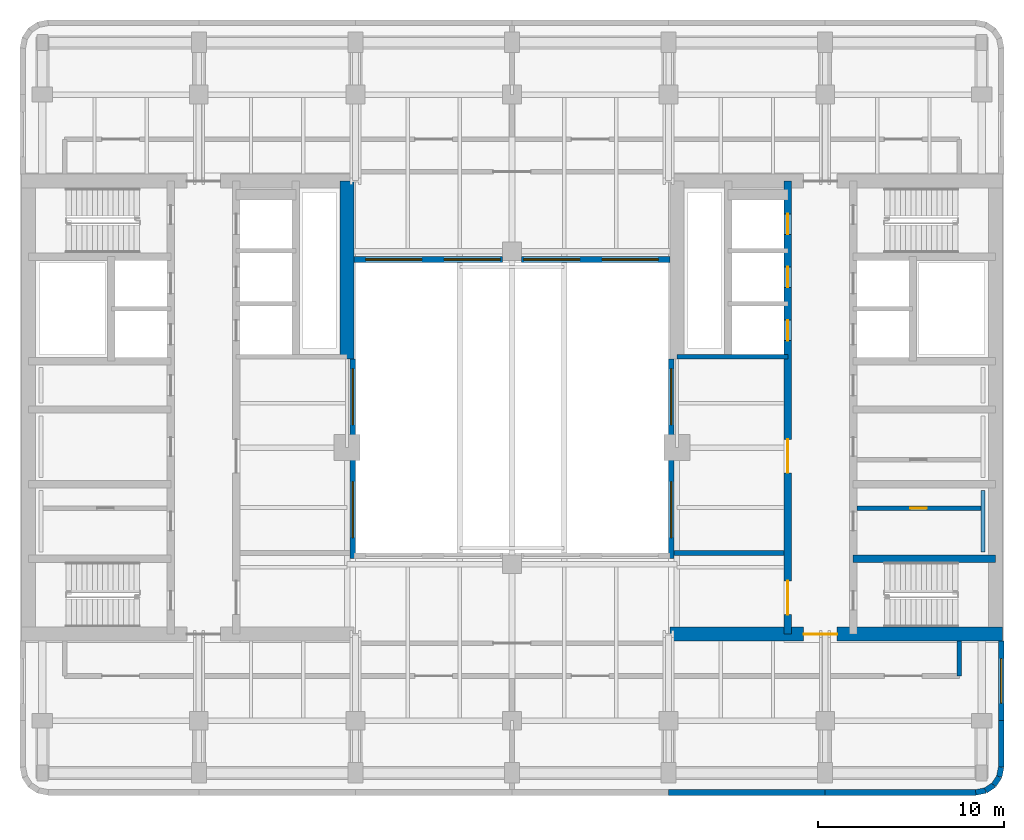
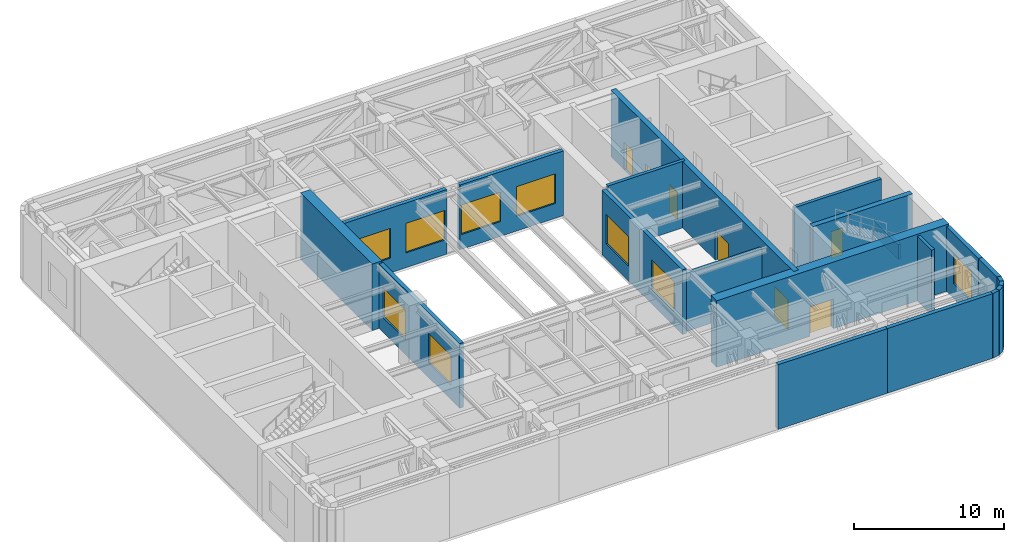
# One storey, part 5 of 10: 21 walls, 9 windows, 7 doors, 16 openings.
"""IFC4 building model written with IfcOpenShell, lengths in metres."""

from ifc_helpers import new_model, si_unit, direction, frame, frame_2d, origin, place, context, subcontext, project, spatial, rectangle, extrude, material, layer, layer_set, type_object, element, fill, save


model = new_model("IFC4")

# Units and contexts
model_context = context("Model", 3, precision=1e-05, world=origin(), true_north=direction((0.0, 1.0)))
body_context = subcontext(model_context, "Body", "Model", "MODEL_VIEW")
ifc_project = project(units=[si_unit("LENGTHUNIT", "METRE"), si_unit("AREAUNIT", "SQUARE_METRE"), si_unit("VOLUMEUNIT", "CUBIC_METRE"), si_unit("PLANEANGLEUNIT", "RADIAN"), si_unit("MASSUNIT", "GRAM", prefix="KILO")], contexts=[model_context])

# Site, building, storey
site_placement = place(None, origin())
site = spatial("IfcSite", under=ifc_project, at=site_placement, CompositionType="ELEMENT")
building_placement = place(site_placement, origin())
building = spatial("IfcBuilding", under=site, at=building_placement, Name="Claustro Exchange Tower", CompositionType="ELEMENT")
storey_placement = place(building_placement, frame((0.0, 0.0, 244.800048828125)))
storey = spatial("IfcBuildingStorey", under=building, at=storey_placement, Name="L56", CompositionType="ELEMENT", Elevation=244.800048828125)

# Walls
ifc_material_1 = material(Name="Concrete blockwork, rendered", Category="masonry")
ifc_layer_1 = layer(ifc_material_1, 0.25)
ifc_layer_set_1 = layer_set([ifc_layer_1], Name="Concrete blockwork, rendered")
wall_type_1 = type_object("IfcWallType", Name="P4 250 blockwork wall", PredefinedType="PARTITIONING", material=ifc_layer_set_1)
wall_1_placement = place(storey_placement, frame((33.89794921875, 17.39990234375, 0.0), z_axis=(0.0, 0.0, 1.0), x_axis=(1.0, 0.0, 0.0)))
element("IfcWall", 1, at=wall_1_placement, inside=storey, type_object=wall_type_1, Name="Partition P4 L56", PredefinedType="PARTITIONING", context=body_context, shape_type="SweptSolid", body=[
    extrude(rectangle(XDim=5.904052734375, YDim=0.25, at=frame_2d((2.9521484375, 0.0))), origin(), (0.0, 0.0, 1.0), 4.699951171875),
])
wall_2_placement = place(storey_placement, frame((49.199951171875, 10.800048828125, 0.0), z_axis=(0.0, 0.0, 1.0), x_axis=(0.0, 1.0, 0.0)))
element("IfcWall", 2, at=wall_2_placement, inside=storey, type_object=wall_type_1, Name="Partition P4 L56", PredefinedType="PARTITIONING", context=body_context, shape_type="SweptSolid", body=[
    extrude(rectangle(XDim=1.8759765625, YDim=0.25, at=frame_2d((0.93798828125, 0.0))), origin(), (0.0, 0.0, 1.0), 5.25),
])

# Wall, opening, door
wall_3_placement = place(storey_placement, frame((43.699951171875, 19.800048828125, 0.0), z_axis=(0.0, 0.0, 1.0), x_axis=(1.0, 0.0, 0.0)))
wall_3 = element("IfcWall", 3, at=wall_3_placement, inside=storey, type_object=wall_type_1, Name="Partition P4 L56", PredefinedType="PARTITIONING", context=body_context, shape_type="SweptSolid", body=[
    extrude(rectangle(XDim=6.675048828125, YDim=0.25, at=frame_2d((3.33740234375, 0.0))), origin(), (0.0, 0.0, 1.0), 5.199951171875),
])
opening_1_placement = place(wall_3_placement, frame((2.862548828125, 0.0, 0.0)))
opening_1 = element("IfcOpeningElement", 4, at=opening_1_placement, cuts=wall_3, Name="Opening D5", PredefinedType="OPENING", context=body_context, shape_type="SweptSolid", body=[
    extrude(rectangle(XDim=0.89990234375, YDim=2.199951171875, at=frame_2d((0.449951171875, 1.10009765625))), frame((0.0, 0.135009765625, 0.0), z_axis=(0.0, -1.0, 0.0), x_axis=(1.0, 0.0, 0.0)), (0.0, 0.0, 1.0), 0.27001953125),
])
ifc_material_2 = material(Name="Steel door, painted", Category="steel")
door_type_1 = type_object("IfcDoorType", Name="D5 900 x 2200 store door", OperationType="SINGLE_SWING_LEFT", PredefinedType="DOOR", material=ifc_material_2)
door_1_placement = place(opening_1_placement, origin())
door_1 = element("IfcDoor", 5, at=door_1_placement, inside=storey, type_object=door_type_1, Name="Store door D5 L56", OperationType="SINGLE_SWING_LEFT", OverallHeight=2.199951171875, OverallWidth=0.89990234375, PredefinedType="DOOR", context=body_context, shape_type="SweptSolid", body=[
    extrude(rectangle(XDim=0.89990234375, YDim=2.199951171875, at=frame_2d((0.449951171875, 1.10009765625))), frame((0.0, 0.02490234375, 0.0), z_axis=(0.0, -1.0, 0.0), x_axis=(1.0, 0.0, 0.0)), (0.0, 0.0, 1.0), 0.050048828125),
])
fill(opening_1, door_1)

# Walls
ifc_material_3 = material(Name="Concrete HA-40 (C40/50), precast, white cement, acid-etched", Category="concrete")
ifc_layer_2 = layer(ifc_material_3, 0.300048828125)
ifc_layer_set_2 = layer_set([ifc_layer_2], Name="Concrete HA-40 (C40/50), precast, white cement, acid-etched")
wall_type_2 = type_object("IfcWallType", Name="PC1 300 precast concrete pier panel", PredefinedType="SOLIDWALL", material=ifc_layer_set_2)
wall_4_placement = place(storey_placement, frame((50.085205078125, 4.550048828125, 0.0), z_axis=(0.0, 0.0, 1.0), x_axis=(-1.0, 0.0, 0.0)))
element("IfcWall", 6, at=wall_4_placement, inside=storey, type_object=wall_type_2, Name="Precast pier panel PC1 L56", PredefinedType="SOLIDWALL", context=body_context, shape_type="SweptSolid", body=[
    extrude(rectangle(XDim=8.085205078125, YDim=0.300048828125, at=frame_2d((4.04248046875, 0.0))), origin(), (0.0, 0.0, 1.0), 5.25),
])
wall_5_placement = place(storey_placement, frame((42.0, 4.550048828125, 0.0), z_axis=(0.0, 0.0, 1.0), x_axis=(-1.0, 0.0, 0.0)))
element("IfcWall", 7, at=wall_5_placement, inside=storey, type_object=wall_type_2, Name="Precast pier panel PC1 L56", PredefinedType="SOLIDWALL", context=body_context, shape_type="SweptSolid", body=[
    extrude(rectangle(XDim=8.39990234375, YDim=0.300048828125, at=frame_2d((4.199951171875, 0.0))), origin(), (0.0, 0.0, 1.0), 5.25),
])

# Wall, opening, window
wall_6_placement = place(storey_placement, frame((51.449951171875, 12.675048828125, 0.0), z_axis=(0.0, 0.0, 1.0), x_axis=(0.0, -1.0, 0.0)))
wall_6 = element("IfcWall", 8, at=wall_6_placement, inside=storey, type_object=wall_type_2, Name="Precast pier panel PC1 L56", PredefinedType="SOLIDWALL", context=body_context, shape_type="SweptSolid", body=[
    extrude(rectangle(XDim=4.275146484375, YDim=0.300048828125, at=frame_2d((2.1376953125, 0.0))), origin(), (0.0, 0.0, 1.0), 5.25),
])
opening_2_placement = place(wall_6_placement, frame((0.9375, 0.0, 1.199951171875)))
opening_2 = element("IfcOpeningElement", 9, at=opening_2_placement, cuts=wall_6, Name="Opening L2", PredefinedType="OPENING", context=body_context, shape_type="SweptSolid", body=[
    extrude(rectangle(XDim=2.39990234375, YDim=2.39990234375, at=frame_2d((1.199951171875, 1.199951171875))), frame((0.0, 0.159912109375, 0.0), z_axis=(0.0, -1.0, 0.0), x_axis=(1.0, 0.0, 0.0)), (0.0, 0.0, 1.0), 0.320068359375),
])
ifc_material_4 = material(Name="Aluminium louvre blades", Category="aluminium")
window_type_1 = type_object("IfcWindowType", Name="L2 2400 x 2400 plant louvre", PartitioningType="SINGLE_PANEL", PredefinedType="USERDEFINED", material=ifc_material_4)
window_1_placement = place(opening_2_placement, origin())
window_1 = element("IfcWindow", 10, at=window_1_placement, inside=storey, type_object=window_type_1, Name="Plant louvre L2 L56", ObjectType="LOUVRE", OverallHeight=2.39990234375, OverallWidth=2.39990234375, PartitioningType="SINGLE_PANEL", PredefinedType="USERDEFINED", context=body_context, shape_type="SweptSolid", body=[
    extrude(rectangle(XDim=2.39990234375, YDim=2.39990234375, at=frame_2d((1.199951171875, 1.199951171875))), frame((0.0, 0.030029296875, 0.0), z_axis=(0.0, -1.0, 0.0), x_axis=(1.0, 0.0, 0.0)), (0.0, 0.0, 1.0), 0.06005859375),
])
fill(opening_2, window_1)

# Walls
wall_7_placement = place(storey_placement, frame((51.449951171875, 8.39990234375, 0.0), z_axis=(0.0, 0.0, 1.0), x_axis=(0.0, -1.0, 0.0)))
element("IfcWall", 11, at=wall_7_placement, inside=storey, type_object=wall_type_2, Name="Precast pier panel PC1 L56", PredefinedType="SOLIDWALL", context=body_context, shape_type="SweptSolid", body=[
    extrude(rectangle(XDim=2.485107421875, YDim=0.300048828125, at=frame_2d((1.24267578125, 0.0))), origin(), (0.0, 0.0, 1.0), 5.25),
])
wall_8_placement = place(storey_placement, frame((51.449951171875, 5.914794921875, 0.0), z_axis=(0.0, 0.0, 1.0), x_axis=(-0.195073962632, -0.980788534345, 0.0)))
element("IfcWall", 12, at=wall_8_placement, inside=storey, type_object=wall_type_2, Name="Precast pier panel PC1 L56", PredefinedType="SOLIDWALL", context=body_context, shape_type="SweptSolid", body=[
    extrude(rectangle(XDim=0.540771484375, YDim=0.300048828125, at=frame_2d((0.2705078125, 0.0))), origin(), (0.0, 0.0, 1.0), 5.25),
])
for number, where, z_axis, x_axis, name in (
    (13, (51.344482421875, 5.384521484375, 0.0), (0.0, 0.0, 1.0), (-0.555557463938, -0.831478144188, 0.0), "Precast pier panel PC1 L56"),
    (14, (51.052490234375, 4.947509765625, 0.0), (0.0, 0.0, 1.0), (-0.831478144188, -0.555557463938, 0.0), "Precast pier panel PC1 L56"),
):
    element("IfcWall", number, at=place(storey_placement, frame(where, z_axis=z_axis, x_axis=x_axis)), inside=storey, type_object=wall_type_2, Name=name, PredefinedType="SOLIDWALL", context=body_context, shape_type="SweptSolid", body=[
        extrude(rectangle(XDim=0.525634765625, YDim=0.300048828125, at=frame_2d((0.2626953125, 0.0))), origin(), (0.0, 0.0, 1.0), 5.25),
    ])
wall_9_placement = place(storey_placement, frame((50.615478515625, 4.655517578125, 0.0), z_axis=(0.0, 0.0, 1.0), x_axis=(-0.980788534345, -0.195073962632, 0.0)))
element("IfcWall", 15, at=wall_9_placement, inside=storey, type_object=wall_type_2, Name="Precast pier panel PC1 L56", PredefinedType="SOLIDWALL", context=body_context, shape_type="SweptSolid", body=[
    extrude(rectangle(XDim=0.540771484375, YDim=0.300048828125, at=frame_2d((0.2705078125, 0.0))), origin(), (0.0, 0.0, 1.0), 5.25),
])

# Wall, openings, windows
wall_10_placement = place(storey_placement, frame((16.64990234375, 17.10009765625, 0.0), z_axis=(0.0, 0.0, 1.0), x_axis=(0.0, 1.0, 0.0)))
wall_10 = element("IfcWall", 16, at=wall_10_placement, inside=storey, type_object=wall_type_2, Name="Precast pier panel PC1 L56", PredefinedType="SOLIDWALL", context=body_context, shape_type="SweptSolid", body=[
    extrude(rectangle(XDim=10.699951171875, YDim=0.300048828125, at=frame_2d((5.35009765625, 0.0))), origin(), (0.0, 0.0, 1.0), 5.25),
])
opening_3_placement = place(wall_10_placement, frame((1.125, 0.0, 1.199951171875)))
opening_3 = element("IfcOpeningElement", 17, at=opening_3_placement, cuts=wall_10, Name="Opening L1", PredefinedType="OPENING", context=body_context, shape_type="SweptSolid", body=[
    extrude(rectangle(XDim=3.0, YDim=2.39990234375, at=frame_2d((1.5, 1.199951171875))), frame((0.0, 0.159912109375, 0.0), z_axis=(0.0, -1.0, 0.0), x_axis=(1.0, 0.0, 0.0)), (0.0, 0.0, 1.0), 0.320068359375),
])
opening_4_placement = place(wall_10_placement, frame((7.175048828125, 0.0, 1.199951171875)))
opening_4 = element("IfcOpeningElement", 18, at=opening_4_placement, cuts=wall_10, Name="Opening L1", PredefinedType="OPENING", context=body_context, shape_type="SweptSolid", body=[
    extrude(rectangle(XDim=3.0, YDim=2.39990234375, at=frame_2d((1.5, 1.199951171875))), frame((0.0, 0.159912109375, 0.0), z_axis=(0.0, -1.0, 0.0), x_axis=(1.0, 0.0, 0.0)), (0.0, 0.0, 1.0), 0.320068359375),
])
ifc_material_5 = material(Name="Aluminium louvre blades", Category="aluminium")
window_type_2 = type_object("IfcWindowType", Name="L1 3000 x 2400 plant louvre", PartitioningType="SINGLE_PANEL", PredefinedType="USERDEFINED", material=ifc_material_5)
window_2_placement = place(opening_3_placement, origin())
window_2 = element("IfcWindow", 19, at=window_2_placement, inside=storey, type_object=window_type_2, Name="Plant louvre L1 L56", ObjectType="LOUVRE", OverallHeight=2.39990234375, OverallWidth=3.0, PartitioningType="SINGLE_PANEL", PredefinedType="USERDEFINED", context=body_context, shape_type="SweptSolid", body=[
    extrude(rectangle(XDim=3.0, YDim=2.39990234375, at=frame_2d((1.5, 1.199951171875))), frame((0.0, 0.030029296875, 0.0), z_axis=(0.0, -1.0, 0.0), x_axis=(1.0, 0.0, 0.0)), (0.0, 0.0, 1.0), 0.06005859375),
])
fill(opening_3, window_2)
window_3_placement = place(opening_4_placement, origin())
window_3 = element("IfcWindow", 20, at=window_3_placement, inside=storey, type_object=window_type_2, Name="Plant louvre L1 L56", ObjectType="LOUVRE", OverallHeight=2.39990234375, OverallWidth=3.0, PartitioningType="SINGLE_PANEL", PredefinedType="USERDEFINED", context=body_context, shape_type="SweptSolid", body=[
    extrude(rectangle(XDim=3.0, YDim=2.39990234375, at=frame_2d((1.5, 1.199951171875))), frame((0.0, 0.030029296875, 0.0), z_axis=(0.0, -1.0, 0.0), x_axis=(1.0, 0.0, 0.0)), (0.0, 0.0, 1.0), 0.06005859375),
])
fill(opening_4, window_3)

wall_11_placement = place(storey_placement, frame((33.75, 17.10009765625, 0.0), z_axis=(0.0, 0.0, 1.0), x_axis=(0.0, 1.0, 0.0)))
wall_11 = element("IfcWall", 21, at=wall_11_placement, inside=storey, type_object=wall_type_2, Name="Precast pier panel PC1 L56", PredefinedType="SOLIDWALL", context=body_context, shape_type="SweptSolid", body=[
    extrude(rectangle(XDim=10.699951171875, YDim=0.300048828125, at=frame_2d((5.35009765625, 0.0))), origin(), (0.0, 0.0, 1.0), 5.25),
])
opening_5_placement = place(wall_11_placement, frame((1.125, 0.0, 1.199951171875)))
opening_5 = element("IfcOpeningElement", 22, at=opening_5_placement, cuts=wall_11, Name="Opening L1", PredefinedType="OPENING", context=body_context, shape_type="SweptSolid", body=[
    extrude(rectangle(XDim=3.0, YDim=2.39990234375, at=frame_2d((1.5, 1.199951171875))), frame((0.0, 0.159912109375, 0.0), z_axis=(0.0, -1.0, 0.0), x_axis=(1.0, 0.0, 0.0)), (0.0, 0.0, 1.0), 0.320068359375),
])
opening_6_placement = place(wall_11_placement, frame((7.175048828125, 0.0, 1.199951171875)))
opening_6 = element("IfcOpeningElement", 23, at=opening_6_placement, cuts=wall_11, Name="Opening L1", PredefinedType="OPENING", context=body_context, shape_type="SweptSolid", body=[
    extrude(rectangle(XDim=3.0, YDim=2.39990234375, at=frame_2d((1.5, 1.199951171875))), frame((0.0, 0.159912109375, 0.0), z_axis=(0.0, -1.0, 0.0), x_axis=(1.0, 0.0, 0.0)), (0.0, 0.0, 1.0), 0.320068359375),
])
window_4_placement = place(opening_5_placement, origin())
window_4 = element("IfcWindow", 24, at=window_4_placement, inside=storey, type_object=window_type_2, Name="Plant louvre L1 L56", ObjectType="LOUVRE", OverallHeight=2.39990234375, OverallWidth=3.0, PartitioningType="SINGLE_PANEL", PredefinedType="USERDEFINED", context=body_context, shape_type="SweptSolid", body=[
    extrude(rectangle(XDim=3.0, YDim=2.39990234375, at=frame_2d((1.5, 1.199951171875))), frame((0.0, 0.030029296875, 0.0), z_axis=(0.0, -1.0, 0.0), x_axis=(1.0, 0.0, 0.0)), (0.0, 0.0, 1.0), 0.06005859375),
])
fill(opening_5, window_4)
window_5_placement = place(opening_6_placement, origin())
window_5 = element("IfcWindow", 25, at=window_5_placement, inside=storey, type_object=window_type_2, Name="Plant louvre L1 L56", ObjectType="LOUVRE", OverallHeight=2.39990234375, OverallWidth=3.0, PartitioningType="SINGLE_PANEL", PredefinedType="USERDEFINED", context=body_context, shape_type="SweptSolid", body=[
    extrude(rectangle(XDim=3.0, YDim=2.39990234375, at=frame_2d((1.5, 1.199951171875))), frame((0.0, 0.030029296875, 0.0), z_axis=(0.0, -1.0, 0.0), x_axis=(1.0, 0.0, 0.0)), (0.0, 0.0, 1.0), 0.06005859375),
])
fill(opening_6, window_5)

wall_12_placement = place(storey_placement, frame((16.72509765625, 33.14990234375, 0.0), z_axis=(0.0, 0.0, 1.0), x_axis=(1.0, 0.0, 0.0)))
wall_12 = element("IfcWall", 26, at=wall_12_placement, inside=storey, type_object=wall_type_2, Name="Precast pier panel PC1 L56", PredefinedType="SOLIDWALL", context=body_context, shape_type="SweptSolid", body=[
    extrude(rectangle(XDim=7.974853515625, YDim=0.300048828125, at=frame_2d((3.9873046875, 0.0))), origin(), (0.0, 0.0, 1.0), 5.25),
])
opening_7_placement = place(wall_12_placement, frame((0.637451171875, 0.0, 1.199951171875)))
opening_7 = element("IfcOpeningElement", 27, at=opening_7_placement, cuts=wall_12, Name="Opening L1", PredefinedType="OPENING", context=body_context, shape_type="SweptSolid", body=[
    extrude(rectangle(XDim=3.0, YDim=2.39990234375, at=frame_2d((1.5, 1.199951171875))), frame((0.0, 0.159912109375, 0.0), z_axis=(0.0, -1.0, 0.0), x_axis=(1.0, 0.0, 0.0)), (0.0, 0.0, 1.0), 0.320068359375),
])
opening_8_placement = place(wall_12_placement, frame((4.83740234375, 0.0, 1.199951171875)))
opening_8 = element("IfcOpeningElement", 28, at=opening_8_placement, cuts=wall_12, Name="Opening L1", PredefinedType="OPENING", context=body_context, shape_type="SweptSolid", body=[
    extrude(rectangle(XDim=3.0, YDim=2.39990234375, at=frame_2d((1.5, 1.199951171875))), frame((0.0, 0.159912109375, 0.0), z_axis=(0.0, -1.0, 0.0), x_axis=(1.0, 0.0, 0.0)), (0.0, 0.0, 1.0), 0.320068359375),
])
window_6_placement = place(opening_7_placement, origin())
window_6 = element("IfcWindow", 29, at=window_6_placement, inside=storey, type_object=window_type_2, Name="Plant louvre L1 L56", ObjectType="LOUVRE", OverallHeight=2.39990234375, OverallWidth=3.0, PartitioningType="SINGLE_PANEL", PredefinedType="USERDEFINED", context=body_context, shape_type="SweptSolid", body=[
    extrude(rectangle(XDim=3.0, YDim=2.39990234375, at=frame_2d((1.5, 1.199951171875))), frame((0.0, 0.030029296875, 0.0), z_axis=(0.0, -1.0, 0.0), x_axis=(1.0, 0.0, 0.0)), (0.0, 0.0, 1.0), 0.06005859375),
])
fill(opening_7, window_6)
window_7_placement = place(opening_8_placement, origin())
window_7 = element("IfcWindow", 30, at=window_7_placement, inside=storey, type_object=window_type_2, Name="Plant louvre L1 L56", ObjectType="LOUVRE", OverallHeight=2.39990234375, OverallWidth=3.0, PartitioningType="SINGLE_PANEL", PredefinedType="USERDEFINED", context=body_context, shape_type="SweptSolid", body=[
    extrude(rectangle(XDim=3.0, YDim=2.39990234375, at=frame_2d((1.5, 1.199951171875))), frame((0.0, 0.030029296875, 0.0), z_axis=(0.0, -1.0, 0.0), x_axis=(1.0, 0.0, 0.0)), (0.0, 0.0, 1.0), 0.06005859375),
])
fill(opening_8, window_7)

wall_13_placement = place(storey_placement, frame((25.699951171875, 33.14990234375, 0.0), z_axis=(0.0, 0.0, 1.0), x_axis=(1.0, 0.0, 0.0)))
wall_13 = element("IfcWall", 31, at=wall_13_placement, inside=storey, type_object=wall_type_2, Name="Precast pier panel PC1 L56", PredefinedType="SOLIDWALL", context=body_context, shape_type="SweptSolid", body=[
    extrude(rectangle(XDim=7.97509765625, YDim=0.300048828125, at=frame_2d((3.987548828125, 0.0))), origin(), (0.0, 0.0, 1.0), 5.25),
])
opening_9_placement = place(wall_13_placement, frame((0.137451171875, 0.0, 1.199951171875)))
opening_9 = element("IfcOpeningElement", 32, at=opening_9_placement, cuts=wall_13, Name="Opening L1", PredefinedType="OPENING", context=body_context, shape_type="SweptSolid", body=[
    extrude(rectangle(XDim=3.0, YDim=2.39990234375, at=frame_2d((1.5, 1.199951171875))), frame((0.0, 0.159912109375, 0.0), z_axis=(0.0, -1.0, 0.0), x_axis=(1.0, 0.0, 0.0)), (0.0, 0.0, 1.0), 0.320068359375),
])
opening_10_placement = place(wall_13_placement, frame((4.33740234375, 0.0, 1.199951171875)))
opening_10 = element("IfcOpeningElement", 33, at=opening_10_placement, cuts=wall_13, Name="Opening L1", PredefinedType="OPENING", context=body_context, shape_type="SweptSolid", body=[
    extrude(rectangle(XDim=3.0, YDim=2.39990234375, at=frame_2d((1.5, 1.199951171875))), frame((0.0, 0.159912109375, 0.0), z_axis=(0.0, -1.0, 0.0), x_axis=(1.0, 0.0, 0.0)), (0.0, 0.0, 1.0), 0.320068359375),
])
window_8_placement = place(opening_9_placement, origin())
window_8 = element("IfcWindow", 34, at=window_8_placement, inside=storey, type_object=window_type_2, Name="Plant louvre L1 L56", ObjectType="LOUVRE", OverallHeight=2.39990234375, OverallWidth=3.0, PartitioningType="SINGLE_PANEL", PredefinedType="USERDEFINED", context=body_context, shape_type="SweptSolid", body=[
    extrude(rectangle(XDim=3.0, YDim=2.39990234375, at=frame_2d((1.5, 1.199951171875))), frame((0.0, 0.030029296875, 0.0), z_axis=(0.0, -1.0, 0.0), x_axis=(1.0, 0.0, 0.0)), (0.0, 0.0, 1.0), 0.06005859375),
])
fill(opening_9, window_8)
window_9_placement = place(opening_10_placement, origin())
window_9 = element("IfcWindow", 35, at=window_9_placement, inside=storey, type_object=window_type_2, Name="Plant louvre L1 L56", ObjectType="LOUVRE", OverallHeight=2.39990234375, OverallWidth=3.0, PartitioningType="SINGLE_PANEL", PredefinedType="USERDEFINED", context=body_context, shape_type="SweptSolid", body=[
    extrude(rectangle(XDim=3.0, YDim=2.39990234375, at=frame_2d((1.5, 1.199951171875))), frame((0.0, 0.030029296875, 0.0), z_axis=(0.0, -1.0, 0.0), x_axis=(1.0, 0.0, 0.0)), (0.0, 0.0, 1.0), 0.06005859375),
])
fill(opening_10, window_9)

# Wall
ifc_material_6 = material(Name="Gypsum board on steel studs, tiled", Category="steel")
ifc_layer_3 = layer(ifc_material_6, 0.199951171875)
ifc_layer_set_3 = layer_set([ifc_layer_3], Name="Gypsum board on steel studs, tiled")
wall_type_3 = type_object("IfcWallType", Name="PW1 200 WC duct wall", PredefinedType="PLUMBINGWALL", material=ifc_layer_set_3)
wall_14_placement = place(storey_placement, frame((50.47509765625, 17.449951171875, 0.0), z_axis=(0.0, 0.0, 1.0), x_axis=(0.0, 1.0, 0.0)))
element("IfcWall", 36, at=wall_14_placement, inside=storey, type_object=wall_type_3, Name="WC duct wall PW1 L56", PredefinedType="PLUMBINGWALL", context=body_context, shape_type="SweptSolid", body=[
    extrude(rectangle(XDim=3.300048828125, YDim=0.199951171875, at=frame_2d((1.64990234375, 0.0))), origin(), (0.0, 0.0, 1.0), 1.199951171875),
])

# Wall, opening, door
ifc_material_7 = material(Name="Concrete HA-70 (C70/85)", Category="concrete")
ifc_layer_4 = layer(ifc_material_7, 0.75)
ifc_layer_set_4 = layer_set([ifc_layer_4], Name="Concrete HA-70 (C70/85)")
wall_type_4 = type_object("IfcWallType", Name="SW2 750 core shear wall", PredefinedType="SHEAR", material=ifc_layer_set_4)
wall_15_placement = place(storey_placement, frame((33.675048828125, 13.050048828125, 0.0), z_axis=(0.0, 0.0, 1.0), x_axis=(1.0, 0.0, 0.0)))
wall_15 = element("IfcWall", 37, at=wall_15_placement, inside=storey, type_object=wall_type_4, Name="Core wall SW2 E core S face L56", PredefinedType="SHEAR", context=body_context, shape_type="SweptSolid", body=[
    extrude(rectangle(XDim=17.849853515625, YDim=0.75, at=frame_2d((8.9248046875, 0.0))), origin(), (0.0, 0.0, 1.0), 5.39990234375),
])
opening_11_placement = place(wall_15_placement, frame((7.175048828125, 0.0, 0.0)))
opening_11 = element("IfcOpeningElement", 38, at=opening_11_placement, cuts=wall_15, Name="Opening D3", PredefinedType="OPENING", context=body_context, shape_type="SweptSolid", body=[
    extrude(rectangle(XDim=1.800048828125, YDim=2.39990234375, at=frame_2d((0.89990234375, 1.199951171875))), frame((0.0, 0.385009765625, 0.0), z_axis=(0.0, -1.0, 0.0), x_axis=(1.0, 0.0, 0.0)), (0.0, 0.0, 1.0), 0.77001953125),
])
ifc_material_8 = material(Name="Steel fire door, painted", Category="steel")
door_type_2 = type_object("IfcDoorType", Name="D3 1800 x 2400 fire-rated lobby double door", OperationType="DOUBLE_DOOR_SINGLE_SWING", PredefinedType="DOOR", material=ifc_material_8)
door_2_placement = place(opening_11_placement, origin())
door_2 = element("IfcDoor", 39, at=door_2_placement, inside=storey, type_object=door_type_2, Name="Lift lobby door D3 L56", OperationType="DOUBLE_DOOR_SINGLE_SWING", OverallHeight=2.39990234375, OverallWidth=1.800048828125, PredefinedType="DOOR", context=body_context, shape_type="SweptSolid", body=[
    extrude(rectangle(XDim=1.800048828125, YDim=2.39990234375, at=frame_2d((0.89990234375, 1.199951171875))), frame((0.0, 0.02490234375, 0.0), z_axis=(0.0, -1.0, 0.0), x_axis=(1.0, 0.0, 0.0)), (0.0, 0.0, 1.0), 0.050048828125),
])
fill(opening_11, door_2)

# Wall
ifc_material_9 = material(Name="Concrete HA-70 (C70/85)", Category="concrete")
ifc_layer_5 = layer(ifc_material_9, 0.75)
ifc_layer_set_5 = layer_set([ifc_layer_5], Name="Concrete HA-70 (C70/85)")
wall_type_5 = type_object("IfcWallType", Name="SW2X 750 exposed core shear wall, board-marked face", PredefinedType="SHEAR", material=ifc_layer_set_5)
wall_16_placement = place(storey_placement, frame((16.35009765625, 27.800048828125, 0.0), z_axis=(0.0, 0.0, 1.0), x_axis=(0.0, 1.0, 0.0)))
element("IfcWall", 40, at=wall_16_placement, inside=storey, type_object=wall_type_5, Name="Core wall SW2X W core E face L56", PredefinedType="SHEAR", context=body_context, shape_type="SweptSolid", body=[
    extrude(rectangle(XDim=9.550048828125, YDim=0.75, at=frame_2d((4.77490234375, 0.0))), origin(), (0.0, 0.0, 1.0), 5.39990234375),
])

# Wall, openings, doors
ifc_material_10 = material(Name="Concrete HA-50 (C50/60)", Category="concrete")
ifc_layer_6 = layer(ifc_material_10, 0.39990234375)
ifc_layer_set_6 = layer_set([ifc_layer_6], Name="Concrete HA-50 (C50/60)")
wall_type_6 = type_object("IfcWallType", Name="SW4 400 internal core wall", PredefinedType="SHEAR", material=ifc_layer_set_6)
wall_17_placement = place(storey_placement, frame((40.0, 13.050048828125, 0.0), z_axis=(0.0, 0.0, 1.0), x_axis=(0.0, 1.0, 0.0)))
wall_17 = element("IfcWall", 41, at=wall_17_placement, inside=storey, type_object=wall_type_6, Name="Internal core wall SW4 E core L56", PredefinedType="SHEAR", context=body_context, shape_type="SweptSolid", body=[
    extrude(rectangle(XDim=24.300048828125, YDim=0.39990234375, at=frame_2d((12.14990234375, 0.0))), origin(), (0.0, 0.0, 1.0), 5.39990234375),
])
opening_12_placement = place(wall_17_placement, frame((15.75, 0.0, 0.0)))
opening_12 = element("IfcOpeningElement", 42, at=opening_12_placement, cuts=wall_17, Name="Opening LD", PredefinedType="OPENING", context=body_context, shape_type="SweptSolid", body=[
    extrude(rectangle(XDim=1.10009765625, YDim=2.199951171875, at=frame_2d((0.550048828125, 1.10009765625))), frame((0.0, 0.2099609375, 0.0), z_axis=(0.0, -1.0, 0.0), x_axis=(1.0, 0.0, 0.0)), (0.0, 0.0, 1.0), 0.419921875),
])
opening_13_placement = place(wall_17_placement, frame((18.60009765625, 0.0, 0.0)))
opening_13 = element("IfcOpeningElement", 43, at=opening_13_placement, cuts=wall_17, Name="Opening LD", PredefinedType="OPENING", context=body_context, shape_type="SweptSolid", body=[
    extrude(rectangle(XDim=1.10009765625, YDim=2.199951171875, at=frame_2d((0.550048828125, 1.10009765625))), frame((0.0, 0.2099609375, 0.0), z_axis=(0.0, -1.0, 0.0), x_axis=(1.0, 0.0, 0.0)), (0.0, 0.0, 1.0), 0.419921875),
])
opening_14_placement = place(wall_17_placement, frame((21.449951171875, 0.0, 0.0)))
opening_14 = element("IfcOpeningElement", 44, at=opening_14_placement, cuts=wall_17, Name="Opening LD", PredefinedType="OPENING", context=body_context, shape_type="SweptSolid", body=[
    extrude(rectangle(XDim=1.10009765625, YDim=2.199951171875, at=frame_2d((0.550048828125, 1.10009765625))), frame((0.0, 0.2099609375, 0.0), z_axis=(0.0, -1.0, 0.0), x_axis=(1.0, 0.0, 0.0)), (0.0, 0.0, 1.0), 0.419921875),
])
opening_15_placement = place(wall_17_placement, frame((8.64990234375, 0.0, 0.0)))
opening_15 = element("IfcOpeningElement", 45, at=opening_15_placement, cuts=wall_17, Name="Opening D3", PredefinedType="OPENING", context=body_context, shape_type="SweptSolid", body=[
    extrude(rectangle(XDim=1.800048828125, YDim=2.39990234375, at=frame_2d((0.89990234375, 1.199951171875))), frame((0.0, 0.2099609375, 0.0), z_axis=(0.0, -1.0, 0.0), x_axis=(1.0, 0.0, 0.0)), (0.0, 0.0, 1.0), 0.419921875),
])
opening_16_placement = place(wall_17_placement, frame((1.050048828125, 0.0, 0.0)))
opening_16 = element("IfcOpeningElement", 46, at=opening_16_placement, cuts=wall_17, Name="Opening D3", PredefinedType="OPENING", context=body_context, shape_type="SweptSolid", body=[
    extrude(rectangle(XDim=1.800048828125, YDim=2.39990234375, at=frame_2d((0.89990234375, 1.199951171875))), frame((0.0, 0.2099609375, 0.0), z_axis=(0.0, -1.0, 0.0), x_axis=(1.0, 0.0, 0.0)), (0.0, 0.0, 1.0), 0.419921875),
])
door_3_placement = place(opening_15_placement, origin())
door_3 = element("IfcDoor", 47, at=door_3_placement, inside=storey, type_object=door_type_2, Name="Core zone door D3 L56", OperationType="DOUBLE_DOOR_SINGLE_SWING", OverallHeight=2.39990234375, OverallWidth=1.800048828125, PredefinedType="DOOR", context=body_context, shape_type="SweptSolid", body=[
    extrude(rectangle(XDim=1.800048828125, YDim=2.39990234375, at=frame_2d((0.89990234375, 1.199951171875))), frame((0.0, 0.02490234375, 0.0), z_axis=(0.0, -1.0, 0.0), x_axis=(1.0, 0.0, 0.0)), (0.0, 0.0, 1.0), 0.050048828125),
])
fill(opening_15, door_3)
door_4_placement = place(opening_16_placement, origin())
door_4 = element("IfcDoor", 48, at=door_4_placement, inside=storey, type_object=door_type_2, Name="Core zone door D3 L56", OperationType="DOUBLE_DOOR_SINGLE_SWING", OverallHeight=2.39990234375, OverallWidth=1.800048828125, PredefinedType="DOOR", context=body_context, shape_type="SweptSolid", body=[
    extrude(rectangle(XDim=1.800048828125, YDim=2.39990234375, at=frame_2d((0.89990234375, 1.199951171875))), frame((0.0, 0.02490234375, 0.0), z_axis=(0.0, -1.0, 0.0), x_axis=(1.0, 0.0, 0.0)), (0.0, 0.0, 1.0), 0.050048828125),
])
fill(opening_16, door_4)
ifc_material_11 = material(Name="Stainless steel sliding door", Category="steel")
door_type_3 = type_object("IfcDoorType", Name="LD 1100 x 2200 lift landing door", OperationType="DOUBLE_DOOR_SLIDING", PredefinedType="DOOR", material=ifc_material_11)
door_5_placement = place(opening_12_placement, origin())
door_5 = element("IfcDoor", 49, at=door_5_placement, inside=storey, type_object=door_type_3, Name="Lift landing door LHE1 LD L56", OperationType="DOUBLE_DOOR_SLIDING", OverallHeight=2.199951171875, OverallWidth=1.10009765625, PredefinedType="DOOR", context=body_context, shape_type="SweptSolid", body=[
    extrude(rectangle(XDim=1.10009765625, YDim=2.199951171875, at=frame_2d((0.550048828125, 1.10009765625))), frame((0.0, 0.02490234375, 0.0), z_axis=(0.0, -1.0, 0.0), x_axis=(1.0, 0.0, 0.0)), (0.0, 0.0, 1.0), 0.050048828125),
])
fill(opening_12, door_5)
door_6_placement = place(opening_13_placement, origin())
door_6 = element("IfcDoor", 50, at=door_6_placement, inside=storey, type_object=door_type_3, Name="Lift landing door LHE2 LD L56", OperationType="DOUBLE_DOOR_SLIDING", OverallHeight=2.199951171875, OverallWidth=1.10009765625, PredefinedType="DOOR", context=body_context, shape_type="SweptSolid", body=[
    extrude(rectangle(XDim=1.10009765625, YDim=2.199951171875, at=frame_2d((0.550048828125, 1.10009765625))), frame((0.0, 0.02490234375, 0.0), z_axis=(0.0, -1.0, 0.0), x_axis=(1.0, 0.0, 0.0)), (0.0, 0.0, 1.0), 0.050048828125),
])
fill(opening_13, door_6)
door_7_placement = place(opening_14_placement, origin())
door_7 = element("IfcDoor", 51, at=door_7_placement, inside=storey, type_object=door_type_3, Name="Lift landing door LSE1 LD L56", OperationType="DOUBLE_DOOR_SLIDING", OverallHeight=2.199951171875, OverallWidth=1.10009765625, PredefinedType="DOOR", context=body_context, shape_type="SweptSolid", body=[
    extrude(rectangle(XDim=1.10009765625, YDim=2.199951171875, at=frame_2d((0.550048828125, 1.10009765625))), frame((0.0, 0.02490234375, 0.0), z_axis=(0.0, -1.0, 0.0), x_axis=(1.0, 0.0, 0.0)), (0.0, 0.0, 1.0), 0.050048828125),
])
fill(opening_14, door_7)

# Walls
wall_18_placement = place(storey_placement, frame((51.14990234375, 17.10009765625, 0.0), z_axis=(0.0, 0.0, 1.0), x_axis=(-1.0, 0.0, 0.0)))
element("IfcWall", 52, at=wall_18_placement, inside=storey, type_object=wall_type_6, Name="Internal core wall SW4 E core L56", PredefinedType="SHEAR", context=body_context, shape_type="SweptSolid", body=[
    extrude(rectangle(XDim=7.64990234375, YDim=0.39990234375, at=frame_2d((3.824951171875, 0.0))), origin(), (0.0, 0.0, 1.0), 5.39990234375),
])
ifc_material_12 = material(Name="Concrete HA-50 (C50/60)", Category="concrete")
ifc_layer_7 = layer(ifc_material_12, 0.25)
ifc_layer_set_7 = layer_set([ifc_layer_7], Name="Concrete HA-50 (C50/60)")
wall_type_7 = type_object("IfcWallType", Name="SW5 250 lift shaft divider wall", PredefinedType="SHEAR", material=ifc_layer_set_7)
wall_19_placement = place(storey_placement, frame((40.0, 27.925048828125, 0.0), z_axis=(0.0, 0.0, 1.0), x_axis=(-1.0, 0.0, 0.0)))
element("IfcWall", 53, at=wall_19_placement, inside=storey, type_object=wall_type_7, Name="Core step wall E core L56", PredefinedType="SHEAR", context=body_context, shape_type="SweptSolid", body=[
    extrude(rectangle(XDim=5.949951171875, YDim=0.25, at=frame_2d((2.97509765625, 0.0))), origin(), (0.0, 0.0, 1.0), 5.39990234375),
])

save(model, "model.ifc")
